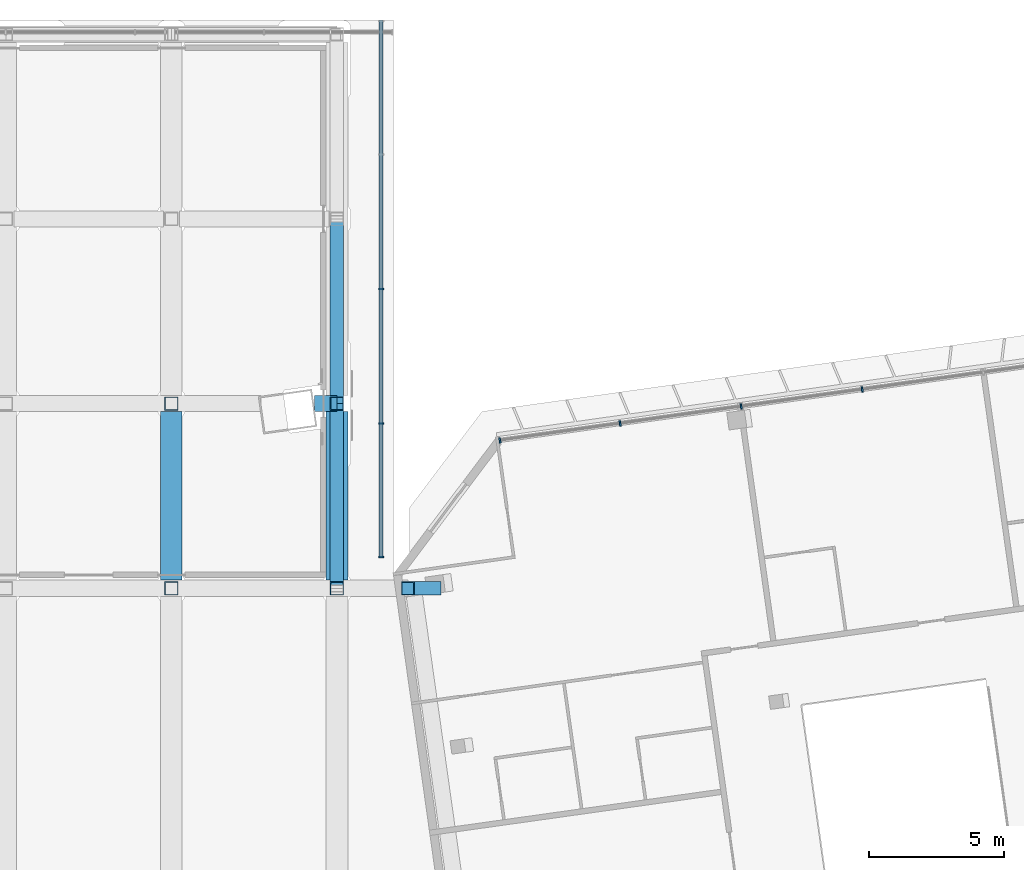
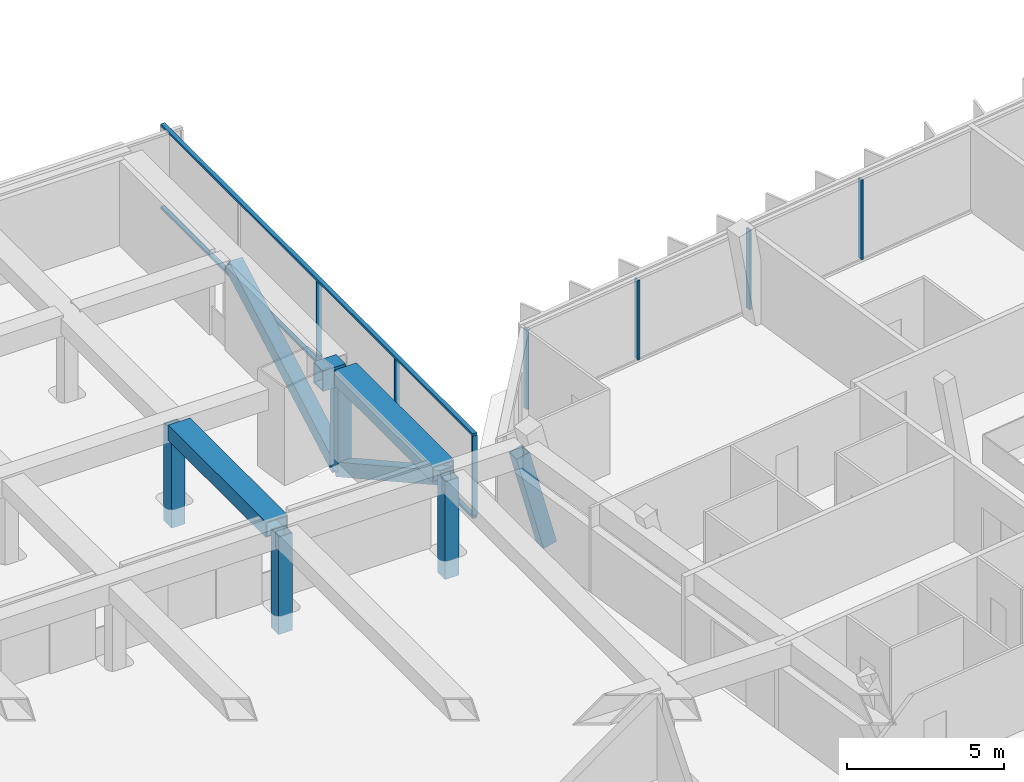
# One storey, part 12 of 30: 19 members, 2 elements without a shape of their own.
"""IFC4 building model written with IfcOpenShell, lengths in metres."""

import ifcopenshell
import ifcopenshell.guid

model = None  # the IFC model being written
_history = None  # IfcOwnerHistory: only IFC2X3 demands one
_inside = {}  # id of a spatial element -> (the spatial element, [elements in it])
_under = {}  # id of a project, library or spatial element -> (it, [spatial elements below it])
_declared = {}  # id of a project -> (the project, [libraries it declares])
_typed = {}  # id of a type object -> (the type object, [elements of that type])
_made_of = {}  # id of a material, layer set ... -> (it, [elements and type objects made of it])


def new_model(schema):
    """Start an empty IFC model of exactly this schema.

    Asked for "IFC4X3", IfcOpenShell would pick the latest addendum, in which some entities
    have other attributes; the version numbers below select the first issue.
    IFC2X3 requires an IfcOwnerHistory on every rooted entity: one is made here for all.
    """
    global model, _history
    if schema == "IFC4X3":
        model = ifcopenshell.file(schema_version=(4, 3, 0, 0))
    else:
        model = ifcopenshell.file(schema=schema)
    _inside.clear()
    _under.clear()
    _declared.clear()
    _typed.clear()
    _made_of.clear()
    _history = None
    if model.schema == "IFC2X3":
        org = make("IfcOrganization", Name="unknown")
        user = make(
            "IfcPersonAndOrganization",
            ThePerson=make("IfcPerson", FamilyName="unknown"),
            TheOrganization=org,
        )
        app = make(
            "IfcApplication",
            ApplicationDeveloper=org,
            Version="unknown",
            ApplicationFullName="unknown",
            ApplicationIdentifier="unknown",
        )
        _history = make(
            "IfcOwnerHistory",
            OwningUser=user,
            OwningApplication=app,
            ChangeAction="ADDED",
            CreationDate=0,
        )
    return model


def make(cls, **values):
    """One entity of the class cls with the attributes given. An attribute that is None is left unset."""
    return model.create_entity(
        cls, **{name: value for name, value in values.items() if value is not None}
    )


def rooted(cls, **values):
    """An entity with a GlobalId (a new one), such as an element, a storey or a relation."""
    return make(cls, GlobalId=ifcopenshell.guid.new(), OwnerHistory=_history, **values)


def si_unit(unit_type, name, prefix=None):
    """IfcSIUnit, for example si_unit("LENGTHUNIT", "METRE", prefix="MILLI")."""
    return make("IfcSIUnit", UnitType=unit_type, Prefix=prefix, Name=name)


def assignment(units):
    """IfcUnitAssignment: the units of a project."""
    return None if units is None else make("IfcUnitAssignment", Units=units)


def point(xyz):
    """IfcCartesianPoint."""
    return None if xyz is None else make("IfcCartesianPoint", Coordinates=xyz)


def direction(xyz):
    """IfcDirection."""
    return None if xyz is None else make("IfcDirection", DirectionRatios=xyz)


def frame(location, z_axis=None, x_axis=None):
    """IfcAxis2Placement3D, a coordinate frame: its origin and axes. An axis left out is left unset."""
    return make(
        "IfcAxis2Placement3D",
        Location=point(location),
        Axis=direction(z_axis),
        RefDirection=direction(x_axis),
    )


def frame_2d(location, x_axis=None):
    """IfcAxis2Placement2D, a coordinate frame in the plane: its origin and x axis."""
    return make(
        "IfcAxis2Placement2D", Location=point(location), RefDirection=direction(x_axis)
    )


def origin():
    """The frame at (0, 0, 0) with its axes left unset."""
    return frame((0.0, 0.0, 0.0))


def origin_2d():
    """The frame at (0, 0) in the plane with its x axis left unset."""
    return frame_2d((0.0, 0.0))


def place(relative_to, where):
    """IfcLocalPlacement: puts the frame where relative to a parent placement (None: the world)."""
    return make(
        "IfcLocalPlacement", PlacementRelTo=relative_to, RelativePlacement=where
    )


def context(
    kind, dimensions, precision=None, world=None, true_north=None, identifier=None
):
    """IfcGeometricRepresentationContext, for example the 3D "Model" context."""
    return make(
        "IfcGeometricRepresentationContext",
        ContextIdentifier=identifier,
        ContextType=kind,
        CoordinateSpaceDimension=dimensions,
        Precision=precision,
        WorldCoordinateSystem=world,
        TrueNorth=true_north,
    )


def subcontext(parent, identifier, kind, view, scale=None):
    """IfcGeometricRepresentationSubContext, for example "Body" below "Model"."""
    return make(
        "IfcGeometricRepresentationSubContext",
        ContextIdentifier=identifier,
        ContextType=kind,
        ParentContext=parent,
        TargetScale=scale,
        TargetView=view,
    )


def project(units=None, contexts=None):
    """IfcProject with its units and contexts."""
    return rooted(
        "IfcProject",
        Name="project",
        RepresentationContexts=contexts,
        UnitsInContext=assignment(units),
    )


def spatial(cls, under=None, at=None, **own):
    """A site, building, storey or space (cls), placed at a placement, below another one or the project."""
    s = rooted(cls, ObjectPlacement=at, **own)
    if under is not None:
        _under.setdefault(under.id(), (under, []))[1].append(s)
    return s


def profile(cls, at=None, kind="AREA", **sizes):
    """A parametric profile (cls). Its sizes go by their IFC names, for example OverallWidth=200.0."""
    return make(cls, ProfileType=kind, Position=at, **sizes)


def rectangle(**sizes):
    """IfcRectangleProfileDef."""
    return profile("IfcRectangleProfileDef", **sizes)


def hollow_rectangle(**sizes):
    """IfcRectangleHollowProfileDef."""
    return profile("IfcRectangleHollowProfileDef", **sizes)


def extrude(swept, where, along, depth):
    """IfcExtrudedAreaSolid: the profile swept, set in the frame where, extruded along a direction by depth."""
    return make(
        "IfcExtrudedAreaSolid",
        SweptArea=swept,
        Position=where,
        ExtrudedDirection=direction(along),
        Depth=depth,
    )


def shape(context_of_items, identifier, shape_type, items):
    """IfcShapeRepresentation: the items that make up one representation, for example the "Body"."""
    return make(
        "IfcShapeRepresentation",
        ContextOfItems=context_of_items,
        RepresentationIdentifier=identifier,
        RepresentationType=shape_type,
        Items=items,
    )


def material(Name=None, Category=None):
    """IfcMaterial."""
    return make("IfcMaterial", Name=Name, Category=Category)


def material_profile(
    of_material, cross_section, Name=None, Category=None, Priority=None
):
    """IfcMaterialProfile: a cross section and its material."""
    return make(
        "IfcMaterialProfile",
        Name=Name,
        Material=of_material,
        Profile=cross_section,
        Priority=Priority,
        Category=Category,
    )


def profile_set(profiles, Name=None, composite=None):
    """IfcMaterialProfileSet."""
    return make(
        "IfcMaterialProfileSet",
        Name=Name,
        MaterialProfiles=profiles,
        CompositeProfile=composite,
    )


def made_of(thing, what):
    """Note that an element or type object is made of a material, layer set ...; save() writes the relation."""
    if what is not None:
        _made_of.setdefault(what.id(), (what, []))[1].append(thing)
    return thing


def type_object(cls, material=None, **own):
    """A type object (cls), such as IfcWallType, which elements share."""
    return made_of(rooted(cls, **own), material)


def element(
    cls,
    number,
    at=None,
    inside=None,
    cuts=None,
    type_object=None,
    material=None,
    context=None,
    identifier="Body",
    shape_type=None,
    held_by="IfcProductDefinitionShape",
    body=None,
    shapes=None,
    **own,
):
    """One element of the class cls, such as IfcWall. Its Tag is "e" and its number.

    at: its placement. inside: the storey or other place that contains it. cuts: it is an
    opening in that element (IfcRelVoidsElement). A single representation is given by context,
    identifier, shape_type and body (its items); several are given by shapes. held_by: the class
    of the entity that holds the representations. save() writes the other relations.
    """
    e = rooted(cls, Tag="e%d" % number, ObjectPlacement=at, **own)
    if body is not None:
        shapes = [shape(context, identifier, shape_type, body)]
    if shapes is not None:
        e.Representation = make(held_by, Representations=shapes)
    if inside is not None:
        _inside.setdefault(inside.id(), (inside, []))[1].append(e)
    if cuts is not None:
        rooted(
            "IfcRelVoidsElement", RelatingBuildingElement=cuts, RelatedOpeningElement=e
        )
    if type_object is not None:
        _typed.setdefault(type_object.id(), (type_object, []))[1].append(e)
    return made_of(e, material)


def aggregate(whole, parts):
    """IfcRelAggregates: a whole, such as a stair, and the parts it consists of."""
    return rooted("IfcRelAggregates", RelatingObject=whole, RelatedObjects=parts)


def save(model, path):
    """Write the relations noted so far, then the file.

    IfcRelAggregates (storeys below a building ...), IfcRelContainedInSpatialStructure (elements
    in a storey), IfcRelDefinesByType, IfcRelAssociatesMaterial and IfcRelDeclares: one each for
    every whole, place, type object, material and project.
    """
    for whole, parts in _under.values():
        aggregate(whole, parts)
    for where, things in _inside.values():
        rooted(
            "IfcRelContainedInSpatialStructure",
            RelatedElements=things,
            RelatingStructure=where,
        )
    for kind, things in _typed.values():
        rooted("IfcRelDefinesByType", RelatedObjects=things, RelatingType=kind)
    for what, things in _made_of.values():
        rooted("IfcRelAssociatesMaterial", RelatedObjects=things, RelatingMaterial=what)
    for by, libraries in _declared.values():
        rooted("IfcRelDeclares", RelatingContext=by, RelatedDefinitions=libraries)
    model.write(path)


model = new_model("IFC4")

# Units and contexts
model_context = context("Model", 3, precision=1e-05, world=origin(), true_north=direction((0.0, 1.0)))
body_context = subcontext(model_context, "Body", "Model", "MODEL_VIEW")
ifc_project = project(units=[si_unit("LENGTHUNIT", "METRE"), si_unit("AREAUNIT", "SQUARE_METRE"), si_unit("VOLUMEUNIT", "CUBIC_METRE"), si_unit("PLANEANGLEUNIT", "RADIAN"), si_unit("MASSUNIT", "GRAM", prefix="KILO")], contexts=[model_context])

# Site, building, storey
site_placement = place(None, origin())
site = spatial("IfcSite", under=ifc_project, at=site_placement, CompositionType="ELEMENT")
building_placement = place(site_placement, origin())
building = spatial("IfcBuilding", under=site, at=building_placement, Name="Mirante Cascada Hotel Towers", CompositionType="ELEMENT")
storey_placement = place(building_placement, frame((0.0, 0.0, 258.4)))
storey = spatial("IfcBuildingStorey", under=building, at=storey_placement, Name="L62", CompositionType="ELEMENT", Elevation=258.4)

# Members
ifc_material_1 = material(Name="Steel ASTM A572 Gr 50", Category="steel")
ifc_material_profile_1 = material_profile(ifc_material_1, hollow_rectangle(XDim=0.6, YDim=0.8, WallThickness=0.04, at=origin_2d()), Name="Box chord 800x600x40 ASTM A572 Gr 50")
ifc_profile_set_1 = profile_set([ifc_material_profile_1], Name="Steel ASTM A572 Gr 50")
member_type_1 = type_object("IfcMemberType", Name="Box chord 800x600x40 ASTM A572 Gr 50", PredefinedType="CHORD", material=ifc_profile_set_1)
for number, where, z_axis, x_axis, name in (
    (1, (6.1257, 10.2142, 2.9), (0.0, 1.0, 0.0), (0.0, 0.0, 1.0), "dchord sky park L63 15"),
    (2, (12.2514, 10.2142, 2.9), (0.0, 1.0, 0.0), (0.0, 0.0, 1.0), "dchord sky park L63 19"),
):
    element("IfcMember", number, at=place(storey_placement, frame(where, z_axis=z_axis, x_axis=x_axis)), inside=storey, type_object=member_type_1, Name=name, PredefinedType="CHORD", context=body_context, shape_type="SweptSolid", body=[
        extrude(hollow_rectangle(XDim=0.6, YDim=0.8, WallThickness=0.04, at=origin_2d()), origin(), (0.0, 0.0, 1.0), 6.2333),
    ])
member_1_placement = place(storey_placement, frame((11.4167, 16.7475, 2.9), z_axis=(1.0, 0.0, 0.0), x_axis=(0.0, 1.0, 0.0)))
element("IfcMember", 3, at=member_1_placement, inside=storey, type_object=member_type_1, Name="dchord sky park L63 32", PredefinedType="CHORD", context=body_context, shape_type="SweptSolid", body=[
    extrude(hollow_rectangle(XDim=0.6, YDim=0.8, WallThickness=0.04, at=origin_2d()), origin(), (0.0, 0.0, 1.0), 0.8347),
])
ifc_material_2 = material(Name="Steel ASTM A572 Gr 50", Category="steel")
ifc_material_profile_2 = material_profile(ifc_material_2, hollow_rectangle(XDim=0.5, YDim=0.5, WallThickness=0.03, at=origin_2d()), Name="Box diagonal 500x500x30 ASTM A572 Gr 50")
ifc_profile_set_2 = profile_set([ifc_material_profile_2], Name="Steel ASTM A572 Gr 50")
member_type_2 = type_object("IfcMemberType", Name="Box diagonal 500x500x30 ASTM A572 Gr 50", PredefinedType="BRACE", material=ifc_profile_set_2)
for number, where, z_axis, x_axis, name in (
    (4, (12.2514, 16.7475, -0.9), (0.0, -0.8739551, 0.4860067), (1.0, 0.0, 0.0), "ddiag sky park L62 8"),
    (5, (12.2514, 16.7475, -0.9), (0.0, 0.8739551, 0.4860067), (-1.0, 0.0, 0.0), "ddiag sky park L62 9"),
):
    element("IfcMember", number, at=place(storey_placement, frame(where, z_axis=z_axis, x_axis=x_axis)), inside=storey, type_object=member_type_2, Name=name, PredefinedType="BRACE", context=body_context, shape_type="SweptSolid", body=[
        extrude(hollow_rectangle(XDim=0.5, YDim=0.5, WallThickness=0.03, at=origin_2d()), origin(), (0.0, 0.0, 1.0), 7.8188),
    ])
ifc_material_3 = material(Name="Steel ASTM A572 Gr 50", Category="steel")
ifc_material_profile_3 = material_profile(ifc_material_3, hollow_rectangle(XDim=0.5, YDim=0.5, WallThickness=0.03, at=origin_2d()), Name="Box post 500x500x30 ASTM A572 Gr 50")
ifc_profile_set_3 = profile_set([ifc_material_profile_3], Name="Steel ASTM A572 Gr 50")
member_type_3 = type_object("IfcMemberType", Name="Box post 500x500x30 ASTM A572 Gr 50", PredefinedType="POST", material=ifc_profile_set_3)
for number, where, z_axis, x_axis, name in (
    (6, (6.1257, 9.9142, -0.9), (0.0, 0.0, 1.0), (1.0, 0.0, 0.0), "dpost sky park L62 25"),
    (7, (6.1257, 16.7475, -0.9), (0.0, 0.0, 1.0), (1.0, 0.0, 0.0), "dpost sky park L62 26"),
    (8, (12.2514, 9.9142, -0.9), (0.0, 0.0, 1.0), (1.0, 0.0, 0.0), "dpost sky park L62 32"),
    (9, (12.2514, 16.7475, -0.9), (0.0, 0.0, 1.0), (1.0, 0.0, 0.0), "dpost sky park L62 33"),
):
    element("IfcMember", number, at=place(storey_placement, frame(where, z_axis=z_axis, x_axis=x_axis)), inside=storey, type_object=member_type_3, Name=name, PredefinedType="POST", context=body_context, shape_type="SweptSolid", body=[
        extrude(hollow_rectangle(XDim=0.5, YDim=0.5, WallThickness=0.03, at=origin_2d()), origin(), (0.0, 0.0, 1.0), 3.8),
    ])
member_2_placement = place(storey_placement, frame((15.8669, 9.9142, -0.9), z_axis=(-0.2525877, 0.0, 0.967574), x_axis=(0.0, -1.0, 0.0)))
element("IfcMember", 10, at=member_2_placement, inside=storey, type_object=member_type_3, Name="dpost sky park L62 41", PredefinedType="POST", context=body_context, shape_type="SweptSolid", body=[
    extrude(hollow_rectangle(XDim=0.5, YDim=0.5, WallThickness=0.03, at=origin_2d()), origin(), (0.0, 0.0, 1.0), 3.9273),
])

# Curtain wall, members
ifc_material_4 = material(Name="Aluminium mullion and transom frame with clear laminated glass", Category="aluminium")
curtain_wall_type_1 = type_object("IfcCurtainWallType", Name="Ribbon curtain wall ECW1", PredefinedType="NOTDEFINED", material=ifc_material_4)
curtain_wall_1_placement = place(storey_placement, origin())
curtain_wall_1 = element("IfcCurtainWall", 11, at=curtain_wall_1_placement, inside=storey, type_object=curtain_wall_type_1, Name="Front ribbon wall T2 L62", PredefinedType="NOTDEFINED")
ifc_material_5 = material(Name="Anodised aluminium extrusion", Category="aluminium")
ifc_material_profile_4 = material_profile(ifc_material_5, rectangle(XDim=0.2, YDim=0.065, at=origin_2d()), Name="ECW1 MULLION 65x200")
ifc_profile_set_4 = profile_set([ifc_material_profile_4], Name="Anodised aluminium extrusion")
member_type_4 = type_object("IfcMemberType", Name="ECW1 mullion 65x200", PredefinedType="MULLION", material=ifc_profile_set_4)
member_3_placement = place(storey_placement, frame((31.6833, 17.2718, 0.1), z_axis=(0.0, 0.0, 1.0), x_axis=(0.1391731, -0.9902681, 0.0)))
member_3 = element("IfcMember", 12, at=member_3_placement, type_object=member_type_4, Name="ECW1 mullion 5", PredefinedType="MULLION", context=body_context, shape_type="SweptSolid", body=[
    extrude(rectangle(XDim=0.2, YDim=0.065, at=origin_2d()), origin(), (0.0, 0.0, 1.0), 3.1),
])
member_4_placement = place(storey_placement, frame((27.2051, 16.6425, 0.1), z_axis=(0.0, 0.0, 1.0), x_axis=(0.1391731, -0.9902681, 0.0)))
member_4 = element("IfcMember", 13, at=member_4_placement, type_object=member_type_4, Name="ECW1 mullion 6", PredefinedType="MULLION", context=body_context, shape_type="SweptSolid", body=[
    extrude(rectangle(XDim=0.2, YDim=0.065, at=origin_2d()), origin(), (0.0, 0.0, 1.0), 3.1),
])
member_5_placement = place(storey_placement, frame((22.7269, 16.0131, 0.1), z_axis=(0.0, 0.0, 1.0), x_axis=(0.1391731, -0.9902681, 0.0)))
member_5 = element("IfcMember", 14, at=member_5_placement, type_object=member_type_4, Name="ECW1 mullion 7", PredefinedType="MULLION", context=body_context, shape_type="SweptSolid", body=[
    extrude(rectangle(XDim=0.2, YDim=0.065, at=origin_2d()), origin(), (0.0, 0.0, 1.0), 3.1),
])
member_6_placement = place(storey_placement, frame((18.2809, 15.3882, 0.1), z_axis=(0.0, 0.0, 1.0), x_axis=(0.1391731, -0.9902681, 0.0)))
member_6 = element("IfcMember", 15, at=member_6_placement, type_object=member_type_4, Name="ECW1 mullion 8", PredefinedType="MULLION", context=body_context, shape_type="SweptSolid", body=[
    extrude(rectangle(XDim=0.2, YDim=0.065, at=origin_2d()), origin(), (0.0, 0.0, 1.0), 3.1),
])
aggregate(curtain_wall_1, [member_3, member_4, member_5, member_6])

ifc_material_6 = material(Name="Aluminium mullion and transom frame with clear laminated glass", Category="aluminium")
curtain_wall_type_2 = type_object("IfcCurtainWallType", Name="Sky park deck curtain wall ECW5", PredefinedType="NOTDEFINED", material=ifc_material_6)
curtain_wall_2_placement = place(storey_placement, origin())
curtain_wall_2 = element("IfcCurtainWall", 16, at=curtain_wall_2_placement, inside=storey, type_object=curtain_wall_type_2, Name="Sky park glazing L62 run 2", PredefinedType="NOTDEFINED")
ifc_material_7 = material(Name="Anodised aluminium extrusion", Category="aluminium")
ifc_material_profile_5 = material_profile(ifc_material_7, rectangle(XDim=0.18, YDim=0.06, at=origin_2d()), Name="ECW5 MULLION 60x180")
ifc_profile_set_5 = profile_set([ifc_material_profile_5], Name="Anodised aluminium extrusion")
member_type_5 = type_object("IfcMemberType", Name="ECW5 mullion 60x180", PredefinedType="MULLION", material=ifc_profile_set_5)
member_7_placement = place(storey_placement, frame((13.8864, 11.0711, 0.09), z_axis=(0.0, 0.0, 1.0), x_axis=(-1.0, 0.0, 0.0)))
member_7 = element("IfcMember", 17, at=member_7_placement, type_object=member_type_5, Name="ECW5 mullion 1", PredefinedType="MULLION", context=body_context, shape_type="SweptSolid", body=[
    extrude(rectangle(XDim=0.18, YDim=0.06, at=origin_2d()), origin(), (0.0, 0.0, 1.0), 3.12),
])
member_8_placement = place(storey_placement, frame((13.8864, 16.0161, 0.09), z_axis=(0.0, 0.0, 1.0), x_axis=(-1.0, 0.0, 0.0)))
member_8 = element("IfcMember", 18, at=member_8_placement, type_object=member_type_5, Name="ECW5 mullion 2", PredefinedType="MULLION", context=body_context, shape_type="SweptSolid", body=[
    extrude(rectangle(XDim=0.18, YDim=0.06, at=origin_2d()), origin(), (0.0, 0.0, 1.0), 3.12),
])
member_9_placement = place(storey_placement, frame((13.8864, 20.9911, 0.09), z_axis=(0.0, 0.0, 1.0), x_axis=(-1.0, 0.0, 0.0)))
member_9 = element("IfcMember", 19, at=member_9_placement, type_object=member_type_5, Name="ECW5 mullion 3", PredefinedType="MULLION", context=body_context, shape_type="SweptSolid", body=[
    extrude(rectangle(XDim=0.18, YDim=0.06, at=origin_2d()), origin(), (0.0, 0.0, 1.0), 3.12),
])
ifc_material_8 = material(Name="Anodised aluminium extrusion", Category="aluminium")
ifc_material_profile_6 = material_profile(ifc_material_8, rectangle(XDim=0.15, YDim=0.09, at=origin_2d()), Name="ECW5 TRANSOM 90x150")
ifc_profile_set_6 = profile_set([ifc_material_profile_6], Name="Anodised aluminium extrusion")
member_type_6 = type_object("IfcMemberType", Name="ECW5 transom 90x150", PredefinedType="USERDEFINED", material=ifc_profile_set_6)
member_10_placement = place(storey_placement, frame((13.8864, 11.0411, 0.045), z_axis=(0.0, 1.0, 0.0), x_axis=(-1.0, 0.0, 0.0)))
member_10 = element("IfcMember", 20, at=member_10_placement, type_object=member_type_6, Name="ECW5 sill transom", ObjectType="TRANSOM", PredefinedType="USERDEFINED", context=body_context, shape_type="SweptSolid", body=[
    extrude(rectangle(XDim=0.15, YDim=0.09, at=origin_2d()), origin(), (0.0, 0.0, 1.0), 19.9),
])
member_11_placement = place(storey_placement, frame((13.8864, 11.0411, 3.255), z_axis=(0.0, 1.0, 0.0), x_axis=(-1.0, 0.0, 0.0)))
member_11 = element("IfcMember", 21, at=member_11_placement, type_object=member_type_6, Name="ECW5 head transom", ObjectType="TRANSOM", PredefinedType="USERDEFINED", context=body_context, shape_type="SweptSolid", body=[
    extrude(rectangle(XDim=0.15, YDim=0.09, at=origin_2d()), origin(), (0.0, 0.0, 1.0), 19.9),
])
aggregate(curtain_wall_2, [member_10, member_11, member_7, member_8, member_9])

save(model, "model.ifc")
